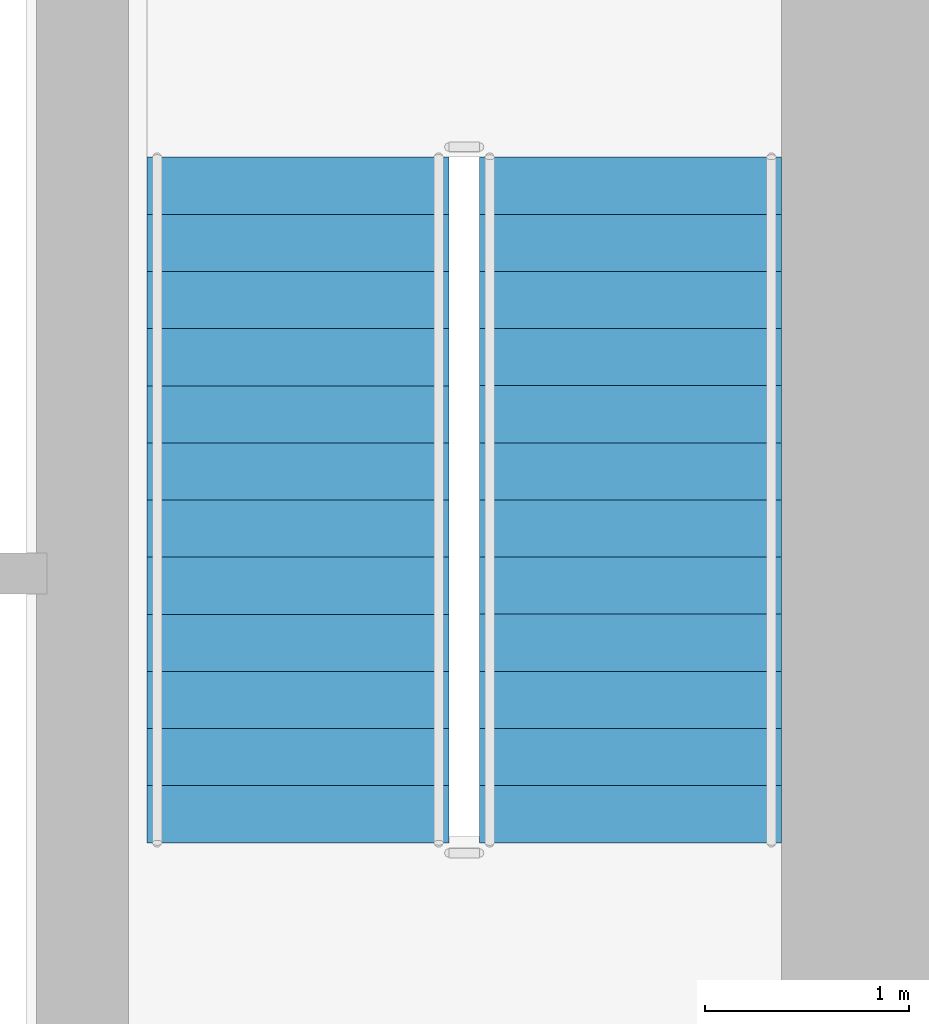
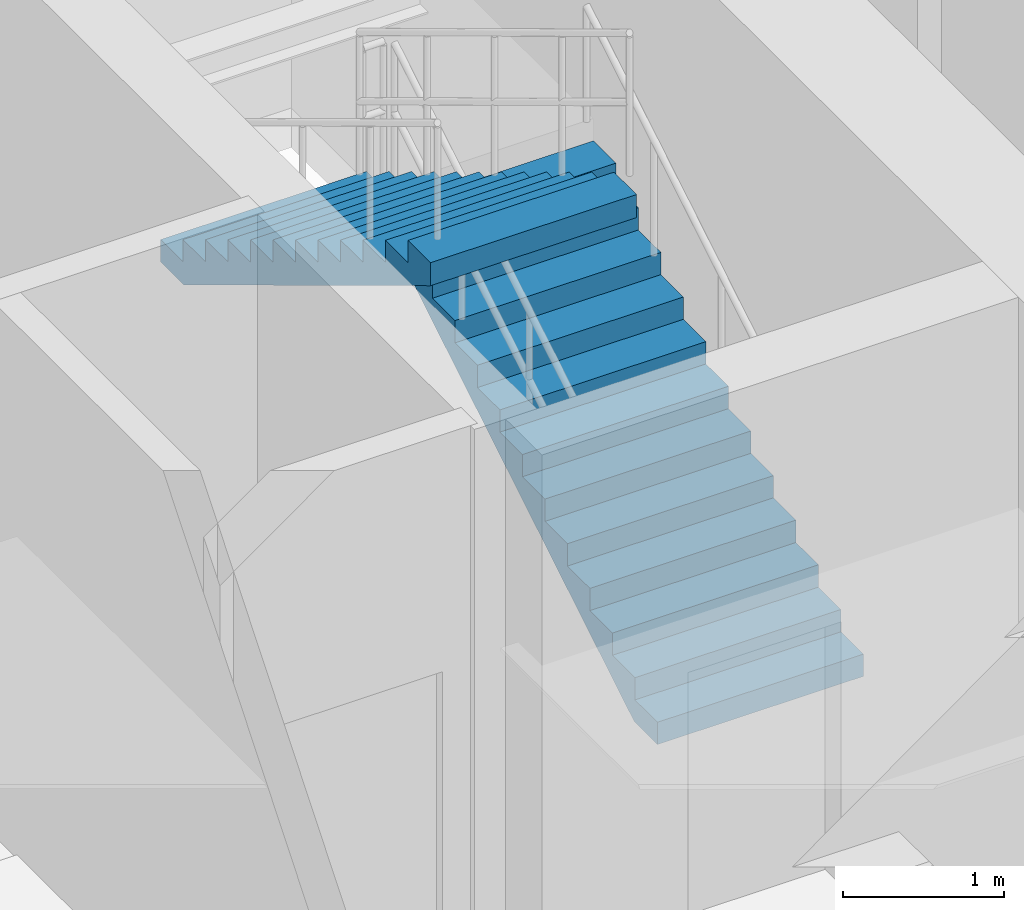
# One storey, part 6 of 8: 2 stair flights, 1 element without a shape of its own.
"""IFC4 building model written with IfcOpenShell, lengths in metres."""

from ifc_helpers import new_model, si_unit, direction, frame, origin, place, context, subcontext, project, spatial, polyline, outline, extrude, material, type_object, element, aggregate, save


model = new_model("IFC4")

# Units and contexts
model_context = context("Model", 3, precision=1e-05, world=origin(), true_north=direction((0.0, 1.0)))
body_context = subcontext(model_context, "Body", "Model", "MODEL_VIEW")
ifc_project = project(units=[si_unit("LENGTHUNIT", "METRE"), si_unit("AREAUNIT", "SQUARE_METRE"), si_unit("VOLUMEUNIT", "CUBIC_METRE"), si_unit("PLANEANGLEUNIT", "RADIAN"), si_unit("MASSUNIT", "GRAM", prefix="KILO")], contexts=[model_context])

# Site, building, storey
site_placement = place(None, origin())
site = spatial("IfcSite", under=ifc_project, at=site_placement, CompositionType="ELEMENT")
building_placement = place(site_placement, origin())
building = spatial("IfcBuilding", under=site, at=building_placement, Name="Veraguas Prism Commons", CompositionType="ELEMENT")
storey_placement = place(building_placement, frame((0.0, 0.0, 18.39990234375)))
storey = spatial("IfcBuildingStorey", under=building, at=storey_placement, Name="L04", CompositionType="ELEMENT", Elevation=18.39990234375)

# Stair, stair flights
ifc_material = material(Name="Precast concrete C45/55", Category="concrete")
stair_type = type_object("IfcStairType", Name="Dogleg Core Stair 1480W 26R 03", PredefinedType="HALF_TURN_STAIR", material=ifc_material)
stair_placement = place(storey_placement, origin())
stair = element("IfcStair", 1, at=stair_placement, inside=storey, type_object=stair_type, Name="Protected Exit Stair ST-02 L04", PredefinedType="HALF_TURN_STAIR")
stair_flight_type = type_object("IfcStairFlightType", Name="Precast Stair Flight 1480W 13R 03", PredefinedType="STRAIGHT", material=ifc_material)
stair_flight_1_placement = place(storey_placement, frame((29.659912109375, 21.280029296875, 0.0), z_axis=(0.0, 0.0, 1.0), x_axis=(0.0, 1.0, 0.0)))
stair_flight_1 = element("IfcStairFlight", 2, at=stair_flight_1_placement, type_object=stair_flight_type, Name="ST-03 Flight 1", NumberOfRisers=13, NumberOfTreads=12, PredefinedType="STRAIGHT", RiserHeight=0.169230769, TreadLength=0.28, context=body_context, shape_type="SweptSolid", body=[
    extrude(outline(polyline([(0.0, 0.0), (0.0, 0.169189453125), (0.280029296875, 0.169189453125), (0.280029296875, 0.33837890625), (0.56005859375, 0.33837890625), (0.56005859375, 0.5078125), (0.840087890625, 0.5078125), (0.840087890625, 0.677001953125), (1.1201171875, 0.677001953125), (1.1201171875, 0.84619140625), (1.39990234375, 0.84619140625), (1.39990234375, 1.015380859375), (1.679931640625, 1.015380859375), (1.679931640625, 1.1845703125), (1.9599609375, 1.1845703125), (1.9599609375, 1.353759765625), (2.239990234375, 1.353759765625), (2.239990234375, 1.523193359375), (2.52001953125, 1.523193359375), (2.52001953125, 1.6923828125), (2.800048828125, 1.6923828125), (2.800048828125, 1.861572265625), (3.080078125, 1.861572265625), (3.080078125, 2.03076171875), (3.360107421875, 2.03076171875), (3.360107421875, 2.199951171875), (3.360107421875, 1.855712890625), (0.289794921875, 0.0), (0.0, 0.0)])), frame((0.0, 0.739990234375, 0.0), z_axis=(0.0, -1.0, 0.0), x_axis=(1.0, 0.0, 0.0)), (0.0, 0.0, 1.0), 1.47998046875),
])
stair_flight_2_placement = place(storey_placement, frame((28.030029296875, 24.639892578125, 2.2001953125), z_axis=(0.0, 0.0, 1.0), x_axis=(0.0, -1.0, 0.0)))
stair_flight_2 = element("IfcStairFlight", 3, at=stair_flight_2_placement, type_object=stair_flight_type, Name="ST-03 Flight 2", NumberOfRisers=13, NumberOfTreads=12, PredefinedType="STRAIGHT", RiserHeight=0.169230769, TreadLength=0.28, context=body_context, shape_type="SweptSolid", body=[
    extrude(outline(polyline([(0.0, 0.0), (0.0, 0.169189453125), (0.280029296875, 0.169189453125), (0.280029296875, 0.33837890625), (0.56005859375, 0.33837890625), (0.56005859375, 0.5078125), (0.840087890625, 0.5078125), (0.840087890625, 0.677001953125), (1.1201171875, 0.677001953125), (1.1201171875, 0.84619140625), (1.39990234375, 0.84619140625), (1.39990234375, 1.015380859375), (1.679931640625, 1.015380859375), (1.679931640625, 1.1845703125), (1.9599609375, 1.1845703125), (1.9599609375, 1.353759765625), (2.239990234375, 1.353759765625), (2.239990234375, 1.523193359375), (2.52001953125, 1.523193359375), (2.52001953125, 1.6923828125), (2.800048828125, 1.6923828125), (2.800048828125, 1.861572265625), (3.080078125, 1.861572265625), (3.080078125, 2.03076171875), (3.360107421875, 2.03076171875), (3.360107421875, 2.199951171875), (3.360107421875, 1.855712890625), (0.289794921875, 0.0), (0.0, 0.0)])), frame((0.0, 0.739990234375, 0.0), z_axis=(0.0, -1.0, 0.0), x_axis=(1.0, 0.0, 0.0)), (0.0, 0.0, 1.0), 1.47998046875),
])
aggregate(stair, [stair_flight_1, stair_flight_2])

save(model, "model.ifc")
